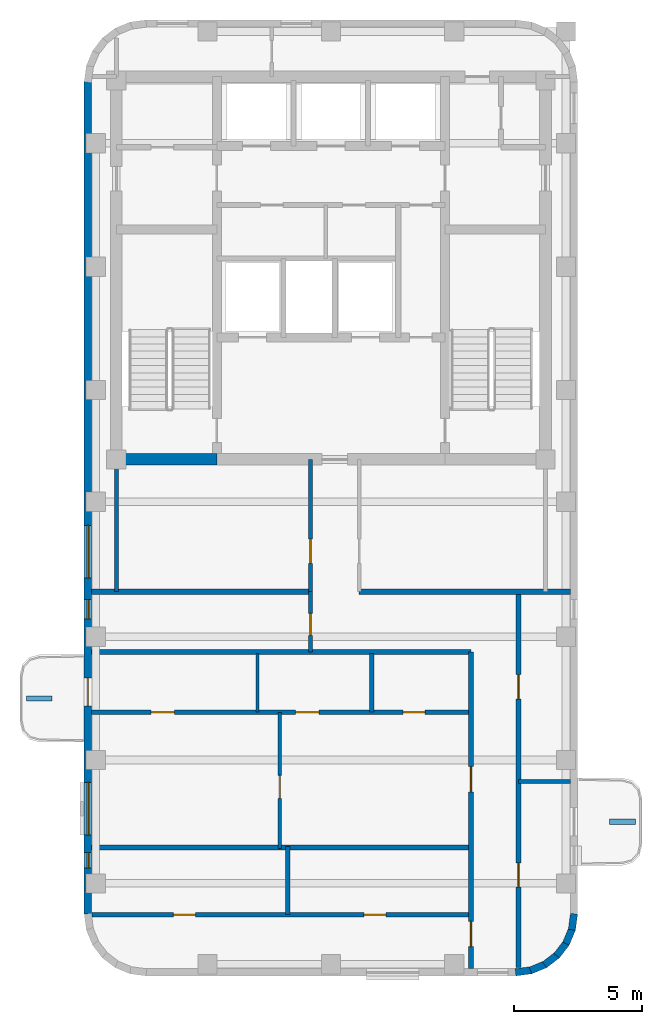
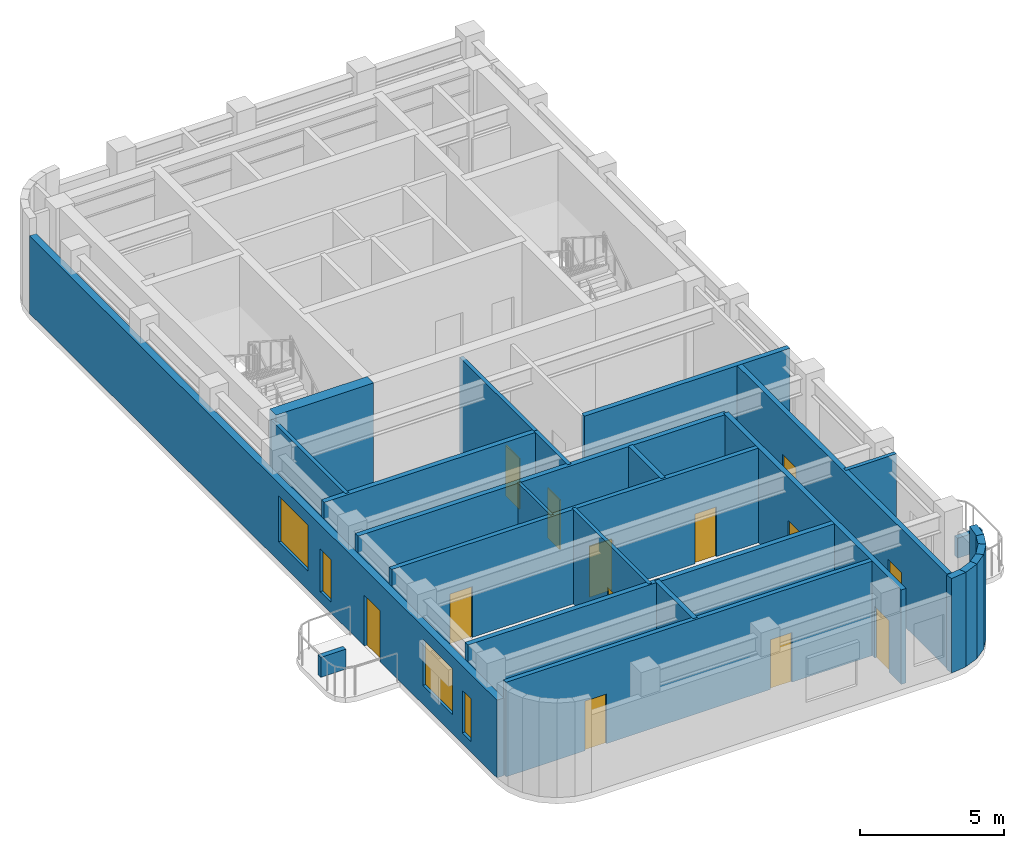
# One storey, part 2 of 5: 26 walls, 13 doors, 4 windows, 17 openings.
"""IFC4 building model written with IfcOpenShell, lengths in metres."""

from ifc_helpers import new_model, si_unit, direction, frame, frame_2d, origin, place, context, subcontext, project, spatial, rectangle, extrude, material, layer, layer_set, type_object, element, fill, save


model = new_model("IFC4")

# Units and contexts
model_context = context("Model", 3, precision=1e-05, world=origin(), true_north=direction((0.0, 1.0)))
body_context = subcontext(model_context, "Body", "Model", "MODEL_VIEW")
ifc_project = project(units=[si_unit("LENGTHUNIT", "METRE"), si_unit("AREAUNIT", "SQUARE_METRE"), si_unit("VOLUMEUNIT", "CUBIC_METRE"), si_unit("PLANEANGLEUNIT", "RADIAN"), si_unit("MASSUNIT", "GRAM", prefix="KILO")], contexts=[model_context])

# Site, building, storey
site_placement = place(None, origin())
site = spatial("IfcSite", under=ifc_project, at=site_placement, CompositionType="ELEMENT")
building_placement = place(site_placement, origin())
building = spatial("IfcBuilding", under=site, at=building_placement, Name="Orvandelia Arch Residences", CompositionType="ELEMENT")
storey_placement = place(building_placement, frame((0.0, 0.0, 287.10009765625)))
storey = spatial("IfcBuildingStorey", under=building, at=storey_placement, Name="L74", CompositionType="ELEMENT", Elevation=287.10009765625)

# Wall
ifc_material_1 = material(Name="Concrete C50/60", Category="concrete")
ifc_layer_1 = layer(ifc_material_1, 0.449951171875, Name="Concrete C50/60", Category="concrete")
ifc_layer_set_1 = layer_set([ifc_layer_1], Name="Concrete C50/60")
wall_type_1 = type_object("IfcWallType", Name="WL-CORE-450", PredefinedType="SHEAR", material=ifc_layer_set_1)
wall_1_placement = place(storey_placement, frame((6.050048828125, 30.89990234375, 0.0), z_axis=(0.0, 0.0, 1.0), x_axis=(1.0, 0.0, 0.0)))
element("IfcWall", 1, at=wall_1_placement, inside=storey, type_object=wall_type_1, Name="Core Shear Wall L74-SW", PredefinedType="SHEAR", context=body_context, shape_type="SweptSolid", body=[
    extrude(rectangle(XDim=3.909912109375, YDim=0.449951171875, at=frame_2d((1.955078125, 0.0))), origin(), (0.0, 0.0, 1.0), 4.2998046875),
])

# Wall, openings, doors
ifc_material_2 = material(Name="Fire-Rated Corridor Partition")
ifc_layer_2 = layer(ifc_material_2, 0.199951171875, Name="Fire-Rated Corridor Partition")
ifc_layer_set_2 = layer_set([ifc_layer_2], Name="Fire-Rated Corridor Partition")
wall_type_2 = type_object("IfcWallType", Name="WL-CORR-200", PredefinedType="PARTITIONING", material=ifc_layer_set_2)
wall_2_placement = place(storey_placement, frame((19.85009765625, 11.080078125, 0.0), z_axis=(0.0, 0.0, 1.0), x_axis=(0.0, 1.0, 0.0)))
wall_2 = element("IfcWall", 2, at=wall_2_placement, inside=storey, type_object=wall_type_2, Name="Interior Partition Wall WL-L74-WC-W", PredefinedType="PARTITIONING", context=body_context, shape_type="SweptSolid", body=[
    extrude(rectangle(XDim=12.31982421875, YDim=0.199951171875, at=frame_2d((6.159912109375, 0.0))), origin(), (0.0, 0.0, 1.0), 4.0),
])
opening_1_placement = place(wall_2_placement, frame((0.860107421875, 0.0, 0.0)))
opening_1 = element("IfcOpeningElement", 3, at=opening_1_placement, cuts=wall_2, Name="Opening D1", PredefinedType="OPENING", context=body_context, shape_type="SweptSolid", body=[
    extrude(rectangle(XDim=0.97998046875, YDim=2.179931640625, at=frame_2d((0.489990234375, 1.08984375))), frame((0.0, 0.10986328125, 0.0), z_axis=(0.0, -1.0, 0.0), x_axis=(1.0, 0.0, 0.0)), (0.0, 0.0, 1.0), 0.219970703125),
])
opening_2_placement = place(wall_2_placement, frame((6.8798828125, 0.0, 0.0)))
opening_2 = element("IfcOpeningElement", 4, at=opening_2_placement, cuts=wall_2, Name="Opening D1", PredefinedType="OPENING", context=body_context, shape_type="SweptSolid", body=[
    extrude(rectangle(XDim=0.97998046875, YDim=2.179931640625, at=frame_2d((0.489990234375, 1.08984375))), frame((0.0, 0.10986328125, 0.0), z_axis=(0.0, -1.0, 0.0), x_axis=(1.0, 0.0, 0.0)), (0.0, 0.0, 1.0), 0.219970703125),
])
ifc_material_3 = material(Name="Solid-Core Timber Acoustic Fire Door", Category="wood")
door_type_1 = type_object("IfcDoorType", Name="DR-ENT-980", OperationType="NOTDEFINED", PredefinedType="DOOR", material=ifc_material_3)
door_1_placement = place(opening_1_placement, origin())
door_1 = element("IfcDoor", 5, at=door_1_placement, inside=storey, type_object=door_type_1, Name="Unit L74-01 Entrance Door", OperationType="SINGLE_SWING_LEFT", OverallHeight=2.179931640625, OverallWidth=0.97998046875, PredefinedType="DOOR", context=body_context, shape_type="SweptSolid", body=[
    extrude(rectangle(XDim=0.97998046875, YDim=2.179931640625, at=frame_2d((0.489990234375, 1.08984375))), frame((0.0, 0.02490234375, 0.0), z_axis=(0.0, -1.0, 0.0), x_axis=(1.0, 0.0, 0.0)), (0.0, 0.0, 1.0), 0.050048828125),
])
fill(opening_1, door_1)
door_2_placement = place(opening_2_placement, origin())
door_2 = element("IfcDoor", 6, at=door_2_placement, inside=storey, type_object=door_type_1, Name="Unit L74-02 Entrance Door", OperationType="SINGLE_SWING_RIGHT", OverallHeight=2.179931640625, OverallWidth=0.97998046875, PredefinedType="DOOR", context=body_context, shape_type="SweptSolid", body=[
    extrude(rectangle(XDim=0.97998046875, YDim=2.179931640625, at=frame_2d((0.489990234375, 1.08984375))), frame((0.0, 0.02490234375, 0.0), z_axis=(0.0, -1.0, 0.0), x_axis=(1.0, 0.0, 0.0)), (0.0, 0.0, 1.0), 0.050048828125),
])
fill(opening_2, door_2)

wall_3_placement = place(storey_placement, frame((21.699951171875, 11.1201171875, 0.0), z_axis=(0.0, 0.0, 1.0), x_axis=(0.0, 1.0, 0.0)))
wall_3 = element("IfcWall", 7, at=wall_3_placement, inside=storey, type_object=wall_type_2, Name="Interior Partition Wall WL-L74-WC-E", PredefinedType="PARTITIONING", context=body_context, shape_type="SweptSolid", body=[
    extrude(rectangle(XDim=14.6298828125, YDim=0.199951171875, at=frame_2d((7.31494140625, 0.0))), origin(), (0.0, 0.0, 1.0), 4.0),
])
opening_3_placement = place(wall_3_placement, frame((3.1298828125, 0.0, 0.0)))
opening_3 = element("IfcOpeningElement", 8, at=opening_3_placement, cuts=wall_3, Name="Opening D2", PredefinedType="OPENING", context=body_context, shape_type="SweptSolid", body=[
    extrude(rectangle(XDim=0.949951171875, YDim=2.14990234375, at=frame_2d((0.47509765625, 1.074951171875))), frame((0.0, 0.10986328125, 0.0), z_axis=(0.0, -1.0, 0.0), x_axis=(1.0, 0.0, 0.0)), (0.0, 0.0, 1.0), 0.219970703125),
])
opening_4_placement = place(wall_3_placement, frame((10.449951171875, 0.0, 0.0)))
opening_4 = element("IfcOpeningElement", 9, at=opening_4_placement, cuts=wall_3, Name="Opening D2", PredefinedType="OPENING", context=body_context, shape_type="SweptSolid", body=[
    extrude(rectangle(XDim=0.949951171875, YDim=2.14990234375, at=frame_2d((0.47509765625, 1.074951171875))), frame((0.0, 0.10986328125, 0.0), z_axis=(0.0, -1.0, 0.0), x_axis=(1.0, 0.0, 0.0)), (0.0, 0.0, 1.0), 0.219970703125),
])
ifc_material_4 = material(Name="Solid-Core Timber Interior Fire Door", Category="wood")
door_type_2 = type_object("IfcDoorType", Name="DR-APT-950", OperationType="NOTDEFINED", PredefinedType="DOOR", material=ifc_material_4)
door_3_placement = place(opening_3_placement, origin())
door_3 = element("IfcDoor", 10, at=door_3_placement, inside=storey, type_object=door_type_2, Name="DR-L74-EGALV1", OperationType="SINGLE_SWING_LEFT", OverallHeight=2.14990234375, OverallWidth=0.949951171875, PredefinedType="DOOR", context=body_context, shape_type="SweptSolid", body=[
    extrude(rectangle(XDim=0.949951171875, YDim=2.14990234375, at=frame_2d((0.47509765625, 1.074951171875))), frame((0.0, 0.02490234375, 0.0), z_axis=(0.0, -1.0, 0.0), x_axis=(1.0, 0.0, 0.0)), (0.0, 0.0, 1.0), 0.050048828125),
])
fill(opening_3, door_3)
door_4_placement = place(opening_4_placement, origin())
door_4 = element("IfcDoor", 11, at=door_4_placement, inside=storey, type_object=door_type_2, Name="DR-L74-EGLDY1", OperationType="SINGLE_SWING_RIGHT", OverallHeight=2.14990234375, OverallWidth=0.949951171875, PredefinedType="DOOR", context=body_context, shape_type="SweptSolid", body=[
    extrude(rectangle(XDim=0.949951171875, YDim=2.14990234375, at=frame_2d((0.47509765625, 1.074951171875))), frame((0.0, 0.02490234375, 0.0), z_axis=(0.0, -1.0, 0.0), x_axis=(1.0, 0.0, 0.0)), (0.0, 0.0, 1.0), 0.050048828125),
])
fill(opening_4, door_4)

# Walls
wall_4_placement = place(storey_placement, frame((5.080078125, 23.39990234375, 0.0), z_axis=(0.0, 0.0, 1.0), x_axis=(1.0, 0.0, 0.0)))
element("IfcWall", 12, at=wall_4_placement, inside=storey, type_object=wall_type_2, Name="Interior Partition Wall WL-L74-WLNK-S", PredefinedType="PARTITIONING", context=body_context, shape_type="SweptSolid", body=[
    extrude(rectangle(XDim=14.77001953125, YDim=0.199951171875, at=frame_2d((7.385009765625, 0.0))), origin(), (0.0, 0.0, 1.0), 4.0),
])
wall_5_placement = place(storey_placement, frame((15.5, 25.75, 0.0), z_axis=(0.0, 0.0, 1.0), x_axis=(1.0, 0.0, 0.0)))
element("IfcWall", 13, at=wall_5_placement, inside=storey, type_object=wall_type_2, Name="Interior Partition Wall WL-L74-WLNK-NE", PredefinedType="PARTITIONING", context=body_context, shape_type="SweptSolid", body=[
    extrude(rectangle(XDim=8.219970703125, YDim=0.199951171875, at=frame_2d((4.10986328125, 0.0))), origin(), (0.0, 0.0, 1.0), 4.0),
])
wall_6_placement = place(storey_placement, frame((5.080078125, 25.75, 0.0), z_axis=(0.0, 0.0, 1.0), x_axis=(1.0, 0.0, 0.0)))
element("IfcWall", 14, at=wall_6_placement, inside=storey, type_object=wall_type_2, Name="Interior Partition Wall WL-L74-WLNK-NW2", PredefinedType="PARTITIONING", context=body_context, shape_type="SweptSolid", body=[
    extrude(rectangle(XDim=8.52001953125, YDim=0.199951171875, at=frame_2d((4.260009765625, 0.0))), origin(), (0.0, 0.0, 1.0), 4.0),
])
ifc_material_5 = material(Name="Concrete C40/50", Category="concrete")
ifc_layer_3 = layer(ifc_material_5, 0.199951171875, Name="Concrete C40/50", Category="concrete")
ifc_layer_set_3 = layer_set([ifc_layer_3], Name="Concrete C40/50")
wall_type_3 = type_object("IfcWallType", Name="WL-DEM-200", PredefinedType="SOLIDWALL", material=ifc_layer_set_3)
wall_7_placement = place(storey_placement, frame((5.080078125, 15.800048828125, 0.0), z_axis=(0.0, 0.0, 1.0), x_axis=(1.0, 0.0, 0.0)))
element("IfcWall", 15, at=wall_7_placement, inside=storey, type_object=wall_type_3, Name="Interior Partition Wall WL-L74-DEM-WL-158", PredefinedType="SOLIDWALL", context=body_context, shape_type="SweptSolid", body=[
    extrude(rectangle(XDim=14.77001953125, YDim=0.199951171875, at=frame_2d((7.385009765625, 0.0))), origin(), (0.0, 0.0, 1.0), 4.0),
])
ifc_material_6 = material(Name="Precast concrete C40/50", Category="concrete")
ifc_layer_4 = layer(ifc_material_6, 0.280029296875, Name="Precast concrete C40/50", Category="concrete")
ifc_layer_set_4 = layer_set([ifc_layer_4], Name="Precast concrete C40/50")
wall_type_4 = type_object("IfcWallType", Name="WL-EXT-STONE-280", PredefinedType="STANDARD", material=ifc_layer_set_4)
wall_8_placement = place(storey_placement, frame((23.861083984375, 13.21826171875, 0.0), z_axis=(0.0, 0.0, 1.0), x_axis=(-0.130555323746, -0.9914410257, 0.0)))
element("IfcWall", 16, at=wall_8_placement, inside=storey, type_object=wall_type_4, Name="Coral-Limestone Precast Facade Wall L74-015", PredefinedType="STANDARD", context=body_context, shape_type="SweptSolid", body=[
    extrude(rectangle(XDim=0.62646484375, YDim=0.280029296875, at=frame_2d((0.313232421875, 0.0))), origin(), (0.0, 0.0, 1.0), 4.0),
])
wall_9_placement = place(storey_placement, frame((23.788818359375, 12.63232421875, 0.0), z_axis=(0.0, 0.0, 1.0), x_axis=(-0.382455093999, -0.923974080304, 0.0)))
element("IfcWall", 17, at=wall_9_placement, inside=storey, type_object=wall_type_4, Name="Coral-Limestone Precast Facade Wall L74-016", PredefinedType="STANDARD", context=body_context, shape_type="SweptSolid", body=[
    extrude(rectangle(XDim=0.626220703125, YDim=0.280029296875, at=frame_2d((0.31298828125, 0.0))), origin(), (0.0, 0.0, 1.0), 4.0),
])
for number, where, z_axis, x_axis, name in (
    (18, (23.5673828125, 12.085205078125, 0.0), (0.0, 0.0, 1.0), (-0.608693302629, -0.793405610854, 0.0), "Coral-Limestone Precast Facade Wall L74-017"),
    (19, (23.2119140625, 11.614013671875, 0.0), (0.0, 0.0, 1.0), (-0.793405610854, -0.608693302629, 0.0), "Coral-Limestone Precast Facade Wall L74-018"),
    (20, (22.746337890625, 11.250732421875, 0.0), (0.0, 0.0, 1.0), (-0.92389335771, -0.382650053678, 0.0), "Coral-Limestone Precast Facade Wall L74-019"),
    (21, (22.202880859375, 11.0205078125, 0.0), (0.0, 0.0, 1.0), (-0.9914410257, -0.130555323746, 0.0), "Coral-Limestone Precast Facade Wall L74-020"),
):
    element("IfcWall", number, at=place(storey_placement, frame(where, z_axis=z_axis, x_axis=x_axis)), inside=storey, type_object=wall_type_4, Name=name, PredefinedType="STANDARD", context=body_context, shape_type="SweptSolid", body=[
        extrude(rectangle(XDim=0.62646484375, YDim=0.280029296875, at=frame_2d((0.313232421875, 0.0))), origin(), (0.0, 0.0, 1.0), 4.0),
    ])

# Wall, openings, door, windows
wall_10_placement = place(storey_placement, frame((4.93994140625, 13.199951171875, 0.0), z_axis=(0.0, 0.0, 1.0), x_axis=(0.0, 1.0, 0.0)))
wall_10 = element("IfcWall", 22, at=wall_10_placement, inside=storey, type_object=wall_type_4, Name="Coral-Limestone Precast Facade Wall L74-028", PredefinedType="STANDARD", context=body_context, shape_type="SweptSolid", body=[
    extrude(rectangle(XDim=32.400146484375, YDim=0.280029296875, at=frame_2d((16.2001953125, 0.0))), origin(), (0.0, 0.0, 1.0), 3.27978515625),
])
opening_5_placement = place(wall_10_placement, frame((8.10009765625, 0.0, 0.0)))
opening_5 = element("IfcOpeningElement", 23, at=opening_5_placement, cuts=wall_10, Name="Opening BD1", PredefinedType="OPENING", context=body_context, shape_type="SweptSolid", body=[
    extrude(rectangle(XDim=1.10009765625, YDim=2.14990234375, at=frame_2d((0.550048828125, 1.074951171875))), frame((0.0, 0.14990234375, 0.0), z_axis=(0.0, -1.0, 0.0), x_axis=(1.0, 0.0, 0.0)), (0.0, 0.0, 1.0), 0.300048828125),
])
opening_6_placement = place(wall_10_placement, frame((1.797607421875, 0.0, 0.449951171875)))
opening_6 = element("IfcOpeningElement", 24, at=opening_6_placement, cuts=wall_10, Name="Opening W12", PredefinedType="OPENING", context=body_context, shape_type="SweptSolid", body=[
    extrude(rectangle(XDim=0.60009765625, YDim=1.800048828125, at=frame_2d((0.300048828125, 0.89990234375))), frame((0.0, 0.14990234375, 0.0), z_axis=(0.0, -1.0, 0.0), x_axis=(1.0, 0.0, 0.0)), (0.0, 0.0, 1.0), 0.300048828125),
])
opening_7_placement = place(wall_10_placement, frame((3.077392578125, 0.0, 0.800048828125)))
opening_7 = element("IfcOpeningElement", 25, at=opening_7_placement, cuts=wall_10, Name="Opening W8", PredefinedType="OPENING", context=body_context, shape_type="SweptSolid", body=[
    extrude(rectangle(XDim=2.050048828125, YDim=1.949951171875, at=frame_2d((1.02490234375, 0.97509765625))), frame((0.0, 0.14990234375, 0.0), z_axis=(0.0, -1.0, 0.0), x_axis=(1.0, 0.0, 0.0)), (0.0, 0.0, 1.0), 0.300048828125),
])
opening_8_placement = place(wall_10_placement, frame((13.08251953125, 0.0, 0.800048828125)))
opening_8 = element("IfcOpeningElement", 26, at=opening_8_placement, cuts=wall_10, Name="Opening W8", PredefinedType="OPENING", context=body_context, shape_type="SweptSolid", body=[
    extrude(rectangle(XDim=2.050048828125, YDim=1.949951171875, at=frame_2d((1.02490234375, 0.97509765625))), frame((0.0, 0.14990234375, 0.0), z_axis=(0.0, -1.0, 0.0), x_axis=(1.0, 0.0, 0.0)), (0.0, 0.0, 1.0), 0.300048828125),
])
opening_9_placement = place(wall_10_placement, frame((11.492431640625, 0.0, 0.449951171875)))
opening_9 = element("IfcOpeningElement", 27, at=opening_9_placement, cuts=wall_10, Name="Opening W11", PredefinedType="OPENING", context=body_context, shape_type="SweptSolid", body=[
    extrude(rectangle(XDim=0.75, YDim=1.800048828125, at=frame_2d((0.375, 0.89990234375))), frame((0.0, 0.14990234375, 0.0), z_axis=(0.0, -1.0, 0.0), x_axis=(1.0, 0.0, 0.0)), (0.0, 0.0, 1.0), 0.300048828125),
])
ifc_material_7 = material(Name="Thermally Broken Aluminium Glazed Door", Category="aluminium")
door_type_3 = type_object("IfcDoorType", Name="DR-BAL-GLAZ-1100", OperationType="NOTDEFINED", PredefinedType="DOOR", material=ifc_material_7)
door_5_placement = place(opening_5_placement, origin())
door_5 = element("IfcDoor", 28, at=door_5_placement, inside=storey, type_object=door_type_3, Name="Tree Balcony Glazed Door BAL-L74-W1", OperationType="SINGLE_SWING_RIGHT", OverallHeight=2.14990234375, OverallWidth=1.10009765625, PredefinedType="DOOR", context=body_context, shape_type="SweptSolid", body=[
    extrude(rectangle(XDim=1.10009765625, YDim=2.14990234375, at=frame_2d((0.550048828125, 1.074951171875))), frame((0.0, 0.02490234375, 0.0), z_axis=(0.0, -1.0, 0.0), x_axis=(1.0, 0.0, 0.0)), (0.0, 0.0, 1.0), 0.050048828125),
])
fill(opening_5, door_5)
ifc_material_8 = material(Name="Tempered Low-E Insulated Glazing", Category="glass")
window_type_1 = type_object("IfcWindowType", Name="WIN-BED-0750x1800", PartitioningType="SINGLE_PANEL", PredefinedType="WINDOW", material=ifc_material_8)
window_1_placement = place(opening_9_placement, origin())
window_1 = element("IfcWindow", 29, at=window_1_placement, inside=storey, type_object=window_type_1, Name="Recessed Punched Window L74-011", OverallHeight=1.800048828125, OverallWidth=0.75, PartitioningType="SINGLE_PANEL", PredefinedType="WINDOW", context=body_context, shape_type="SweptSolid", body=[
    extrude(rectangle(XDim=0.75, YDim=1.800048828125, at=frame_2d((0.375, 0.89990234375))), frame((0.0, 0.030029296875, 0.0), z_axis=(0.0, -1.0, 0.0), x_axis=(1.0, 0.0, 0.0)), (0.0, 0.0, 1.0), 0.06005859375),
])
fill(opening_9, window_1)
window_type_2 = type_object("IfcWindowType", Name="WIN-LAN-0600x1800", PartitioningType="SINGLE_PANEL", PredefinedType="WINDOW", material=ifc_material_8)
window_2_placement = place(opening_6_placement, origin())
window_2 = element("IfcWindow", 30, at=window_2_placement, inside=storey, type_object=window_type_2, Name="Recessed Punched Window L74-008", OverallHeight=1.800048828125, OverallWidth=0.60009765625, PartitioningType="SINGLE_PANEL", PredefinedType="WINDOW", context=body_context, shape_type="SweptSolid", body=[
    extrude(rectangle(XDim=0.60009765625, YDim=1.800048828125, at=frame_2d((0.300048828125, 0.89990234375))), frame((0.0, 0.030029296875, 0.0), z_axis=(0.0, -1.0, 0.0), x_axis=(1.0, 0.0, 0.0)), (0.0, 0.0, 1.0), 0.06005859375),
])
fill(opening_6, window_2)
window_type_3 = type_object("IfcWindowType", Name="WIN-UPP-2050x1950", PartitioningType="SINGLE_PANEL", PredefinedType="WINDOW", material=ifc_material_8)
window_3_placement = place(opening_7_placement, origin())
window_3 = element("IfcWindow", 31, at=window_3_placement, inside=storey, type_object=window_type_3, Name="Recessed Punched Window L74-009", OverallHeight=1.949951171875, OverallWidth=2.050048828125, PartitioningType="SINGLE_PANEL", PredefinedType="WINDOW", context=body_context, shape_type="SweptSolid", body=[
    extrude(rectangle(XDim=2.050048828125, YDim=1.949951171875, at=frame_2d((1.02490234375, 0.97509765625))), frame((0.0, 0.030029296875, 0.0), z_axis=(0.0, -1.0, 0.0), x_axis=(1.0, 0.0, 0.0)), (0.0, 0.0, 1.0), 0.06005859375),
])
fill(opening_7, window_3)
window_4_placement = place(opening_8_placement, origin())
window_4 = element("IfcWindow", 32, at=window_4_placement, inside=storey, type_object=window_type_3, Name="Recessed Punched Window L74-010", OverallHeight=1.949951171875, OverallWidth=2.050048828125, PartitioningType="SINGLE_PANEL", PredefinedType="WINDOW", context=body_context, shape_type="SweptSolid", body=[
    extrude(rectangle(XDim=2.050048828125, YDim=1.949951171875, at=frame_2d((1.02490234375, 0.97509765625))), frame((0.0, 0.030029296875, 0.0), z_axis=(0.0, -1.0, 0.0), x_axis=(1.0, 0.0, 0.0)), (0.0, 0.0, 1.0), 0.06005859375),
])
fill(opening_8, window_4)

# Wall
ifc_material_9 = material(Name="Lightweight Gypsum Stud Partition")
ifc_layer_5 = layer(ifc_material_9, 0.1201171875, Name="Lightweight Gypsum Stud Partition")
ifc_layer_set_5 = layer_set([ifc_layer_5], Name="Lightweight Gypsum Stud Partition")
wall_type_5 = type_object("IfcWallType", Name="WL-PART-120", PredefinedType="PARTITIONING", material=ifc_layer_set_5)
wall_11_placement = place(storey_placement, frame((11.541015625, 21.06005859375, 0.0), z_axis=(0.0, 0.0, 1.0), x_axis=(0.0, 1.0, 0.0)))
element("IfcWall", 33, at=wall_11_placement, inside=storey, type_object=wall_type_5, Name="Interior Partition Wall WL-L74-U02-V1", PredefinedType="PARTITIONING", context=body_context, shape_type="SweptSolid", body=[
    extrude(rectangle(XDim=2.280029296875, YDim=0.1201171875, at=frame_2d((1.14013671875, 0.0))), origin(), (0.0, 0.0, 1.0), 4.0),
])

# Wall, opening, door
ifc_material_10 = material(Name="Double-Layer Acoustic Gypsum Partition")
ifc_layer_6 = layer(ifc_material_10, 0.135009765625, Name="Double-Layer Acoustic Gypsum Partition")
ifc_layer_set_6 = layer_set([ifc_layer_6], Name="Double-Layer Acoustic Gypsum Partition")
wall_type_6 = type_object("IfcWallType", Name="WL-PART-135", PredefinedType="PARTITIONING", material=ifc_layer_set_6)
wall_12_placement = place(storey_placement, frame((12.408935546875, 15.760009765625, 0.0), z_axis=(0.0, 0.0, 1.0), x_axis=(0.0, 1.0, 0.0)))
wall_12 = element("IfcWall", 34, at=wall_12_placement, inside=storey, type_object=wall_type_6, Name="Interior Partition Wall WL-L74-U02-DIN", PredefinedType="PARTITIONING", context=body_context, shape_type="SweptSolid", body=[
    extrude(rectangle(XDim=5.300048828125, YDim=0.135009765625, at=frame_2d((2.64990234375, 0.0))), origin(), (0.0, 0.0, 1.0), 4.0),
])
opening_10_placement = place(wall_12_placement, frame((1.944091796875, 0.0, 0.0)))
opening_10 = element("IfcOpeningElement", 35, at=opening_10_placement, cuts=wall_12, Name="Opening D3", PredefinedType="OPENING", context=body_context, shape_type="SweptSolid", body=[
    extrude(rectangle(XDim=0.89990234375, YDim=2.14990234375, at=frame_2d((0.449951171875, 1.074951171875))), frame((0.0, 0.07763671875, 0.0), z_axis=(0.0, -1.0, 0.0), x_axis=(1.0, 0.0, 0.0)), (0.0, 0.0, 1.0), 0.155029296875),
])
ifc_material_11 = material(Name="Engineered Timber Flush Door", Category="wood")
door_type_4 = type_object("IfcDoorType", Name="DR-INT-900", OperationType="NOTDEFINED", PredefinedType="DOOR", material=ifc_material_11)
door_6_placement = place(opening_10_placement, origin())
door_6 = element("IfcDoor", 36, at=door_6_placement, inside=storey, type_object=door_type_4, Name="DR-L74-U02-DIN", OperationType="SINGLE_SWING_LEFT", OverallHeight=2.14990234375, OverallWidth=0.89990234375, PredefinedType="DOOR", context=body_context, shape_type="SweptSolid", body=[
    extrude(rectangle(XDim=0.89990234375, YDim=2.14990234375, at=frame_2d((0.449951171875, 1.074951171875))), frame((0.0, 0.02490234375, 0.0), z_axis=(0.0, -1.0, 0.0), x_axis=(1.0, 0.0, 0.0)), (0.0, 0.0, 1.0), 0.050048828125),
])
fill(opening_10, door_6)

ifc_material_12 = material(Name="Acoustic Gypsum Stud Partition")
ifc_layer_7 = layer(ifc_material_12, 0.14990234375, Name="Acoustic Gypsum Stud Partition")
ifc_layer_set_7 = layer_set([ifc_layer_7], Name="Acoustic Gypsum Stud Partition")
wall_type_7 = type_object("IfcWallType", Name="WL-PART-150", PredefinedType="PARTITIONING", material=ifc_layer_set_7)
wall_13_placement = place(storey_placement, frame((13.60009765625, 25.75, 0.0), z_axis=(0.0, 0.0, 1.0), x_axis=(0.0, 1.0, 0.0)))
wall_13 = element("IfcWall", 37, at=wall_13_placement, inside=storey, type_object=wall_type_7, Name="Interior Partition Wall WL-L74-HI-W1", PredefinedType="PARTITIONING", context=body_context, shape_type="SweptSolid", body=[
    extrude(rectangle(XDim=5.14990234375, YDim=0.14990234375, at=frame_2d((2.574951171875, 0.0))), origin(), (0.0, 0.0, 1.0), 4.0),
])
opening_11_placement = place(wall_13_placement, frame((1.10009765625, 0.0, 0.0)))
opening_11 = element("IfcOpeningElement", 38, at=opening_11_placement, cuts=wall_13, Name="Opening D2", PredefinedType="OPENING", context=body_context, shape_type="SweptSolid", body=[
    extrude(rectangle(XDim=0.949951171875, YDim=2.14990234375, at=frame_2d((0.47509765625, 1.074951171875))), frame((0.0, 0.0849609375, 0.0), z_axis=(0.0, -1.0, 0.0), x_axis=(1.0, 0.0, 0.0)), (0.0, 0.0, 1.0), 0.169921875),
])
door_7_placement = place(opening_11_placement, origin())
door_7 = element("IfcDoor", 39, at=door_7_placement, inside=storey, type_object=door_type_2, Name="DR-L74-HIR1", OperationType="SINGLE_SWING_LEFT", OverallHeight=2.14990234375, OverallWidth=0.949951171875, PredefinedType="DOOR", context=body_context, shape_type="SweptSolid", body=[
    extrude(rectangle(XDim=0.949951171875, YDim=2.14990234375, at=frame_2d((0.47509765625, 1.074951171875))), frame((0.0, 0.02490234375, 0.0), z_axis=(0.0, -1.0, 0.0), x_axis=(1.0, 0.0, 0.0)), (0.0, 0.0, 1.0), 0.050048828125),
])
fill(opening_11, door_7)

# Wall
wall_14_placement = place(storey_placement, frame((6.050048828125, 25.75, 0.0), z_axis=(0.0, 0.0, 1.0), x_axis=(0.0, 1.0, 0.0)))
element("IfcWall", 40, at=wall_14_placement, inside=storey, type_object=wall_type_7, Name="Interior Partition Wall WL-L74-HI-WW", PredefinedType="PARTITIONING", context=body_context, shape_type="SweptSolid", body=[
    extrude(rectangle(XDim=5.14990234375, YDim=0.14990234375, at=frame_2d((2.574951171875, 0.0))), origin(), (0.0, 0.0, 1.0), 4.0),
])

# Wall, opening, door
wall_15_placement = place(storey_placement, frame((13.60009765625, 23.39990234375, 0.0), z_axis=(0.0, 0.0, 1.0), x_axis=(0.0, 1.0, 0.0)))
wall_15 = element("IfcWall", 41, at=wall_15_placement, inside=storey, type_object=wall_type_7, Name="Interior Partition Wall WL-L74-WLNK-W", PredefinedType="PARTITIONING", context=body_context, shape_type="SweptSolid", body=[
    extrude(rectangle(XDim=2.35009765625, YDim=0.14990234375, at=frame_2d((1.175048828125, 0.0))), origin(), (0.0, 0.0, 1.0), 4.0),
])
opening_12_placement = place(wall_15_placement, frame((0.64990234375, 0.0, 0.0)))
opening_12 = element("IfcOpeningElement", 42, at=opening_12_placement, cuts=wall_15, Name="Opening D4", PredefinedType="OPENING", context=body_context, shape_type="SweptSolid", body=[
    extrude(rectangle(XDim=0.860107421875, YDim=2.10009765625, at=frame_2d((0.43017578125, 1.050048828125))), frame((0.0, 0.0849609375, 0.0), z_axis=(0.0, -1.0, 0.0), x_axis=(1.0, 0.0, 0.0)), (0.0, 0.0, 1.0), 0.169921875),
])
ifc_material_13 = material(Name="Moisture-Sealed Timber Bathroom Door", Category="wood")
door_type_5 = type_object("IfcDoorType", Name="DR-WET-900", OperationType="NOTDEFINED", PredefinedType="DOOR", material=ifc_material_13)
door_8_placement = place(opening_12_placement, origin())
door_8 = element("IfcDoor", 43, at=door_8_placement, inside=storey, type_object=door_type_5, Name="DR-L74-WLNKST", OperationType="SINGLE_SWING_LEFT", OverallHeight=2.10009765625, OverallWidth=0.860107421875, PredefinedType="DOOR", context=body_context, shape_type="SweptSolid", body=[
    extrude(rectangle(XDim=0.860107421875, YDim=2.10009765625, at=frame_2d((0.43017578125, 1.050048828125))), frame((0.0, 0.02490234375, 0.0), z_axis=(0.0, -1.0, 0.0), x_axis=(1.0, 0.0, 0.0)), (0.0, 0.0, 1.0), 0.050048828125),
])
fill(opening_12, door_8)

# Walls
wall_16_placement = place(storey_placement, frame((21.699951171875, 18.360107421875, 0.0), z_axis=(0.0, 0.0, 1.0), x_axis=(1.0, 0.0, 0.0)))
element("IfcWall", 44, at=wall_16_placement, inside=storey, type_object=wall_type_7, Name="Interior Partition Wall WL-L74-EGDIV-1", PredefinedType="PARTITIONING", context=body_context, shape_type="SweptSolid", body=[
    extrude(rectangle(XDim=2.02001953125, YDim=0.14990234375, at=frame_2d((1.010009765625, 0.0))), origin(), (0.0, 0.0, 1.0), 4.0),
])
ifc_layer_8 = layer(ifc_material_6, 0.199951171875, Name="Precast concrete C40/50", Category="concrete")
ifc_layer_set_8 = layer_set([ifc_layer_8], Name="Precast concrete C40/50")
wall_type_8 = type_object("IfcWallType", Name="WL-PLANTER-200", PredefinedType="MOVABLE", material=ifc_layer_set_8)
for number, where, z_axis, x_axis, name in (
    (45, (2.550048828125, 21.60009765625, 0.0), (0.0, 0.0, 1.0), (1.0, 0.0, 0.0), "Balcony Precast Tree Planter BAL-L74-W1"),
    (46, (25.25, 16.800048828125, 0.0), (0.0, 0.0, 1.0), (1.0, 0.0, 0.0), "Balcony Precast Tree Planter BAL-L74-W2"),
):
    element("IfcWall", number, at=place(storey_placement, frame(where, z_axis=z_axis, x_axis=x_axis)), inside=storey, type_object=wall_type_8, Name=name, PredefinedType="MOVABLE", context=body_context, shape_type="SweptSolid", body=[
        extrude(rectangle(XDim=1.0, YDim=0.199951171875, at=frame_2d((0.5, 0.0))), origin(), (0.0, 0.0, 1.0), 0.849853515625),
    ])

# Wall, openings, doors
ifc_material_14 = material(Name="Moisture-Resistant Plumbing Wall")
ifc_layer_9 = layer(ifc_material_14, 0.179931640625, Name="Moisture-Resistant Plumbing Wall")
ifc_layer_set_9 = layer_set([ifc_layer_9], Name="Moisture-Resistant Plumbing Wall")
wall_type_9 = type_object("IfcWallType", Name="WL-WET-180", PredefinedType="PLUMBINGWALL", material=ifc_layer_set_9)
wall_17_placement = place(storey_placement, frame((5.10009765625, 13.179931640625, 0.0), z_axis=(0.0, 0.0, 1.0), x_axis=(1.0, 0.0, 0.0)))
wall_17 = element("IfcWall", 47, at=wall_17_placement, inside=storey, type_object=wall_type_9, Name="Interior Partition Wall WL-L74-U01-HZ", PredefinedType="PLUMBINGWALL", context=body_context, shape_type="SweptSolid", body=[
    extrude(rectangle(XDim=14.68994140625, YDim=0.179931640625, at=frame_2d((7.344970703125, 0.0))), origin(), (0.0, 0.0, 1.0), 4.0),
])
opening_13_placement = place(wall_17_placement, frame((3.1650390625, 0.0, 0.0)))
opening_13 = element("IfcOpeningElement", 48, at=opening_13_placement, cuts=wall_17, Name="Opening D4", PredefinedType="OPENING", context=body_context, shape_type="SweptSolid", body=[
    extrude(rectangle(XDim=0.860107421875, YDim=2.10009765625, at=frame_2d((0.43017578125, 1.050048828125))), frame((0.0, 0.10009765625, 0.0), z_axis=(0.0, -1.0, 0.0), x_axis=(1.0, 0.0, 0.0)), (0.0, 0.0, 1.0), 0.199951171875),
])
opening_14_placement = place(wall_17_placement, frame((10.580078125, 0.0, 0.0)))
opening_14 = element("IfcOpeningElement", 49, at=opening_14_placement, cuts=wall_17, Name="Opening D4", PredefinedType="OPENING", context=body_context, shape_type="SweptSolid", body=[
    extrude(rectangle(XDim=0.860107421875, YDim=2.10009765625, at=frame_2d((0.43017578125, 1.050048828125))), frame((0.0, 0.10009765625, 0.0), z_axis=(0.0, -1.0, 0.0), x_axis=(1.0, 0.0, 0.0)), (0.0, 0.0, 1.0), 0.199951171875),
])
door_9_placement = place(opening_13_placement, origin())
door_9 = element("IfcDoor", 50, at=door_9_placement, inside=storey, type_object=door_type_5, Name="DR-L74-U01-KIT", OperationType="SINGLE_SWING_LEFT", OverallHeight=2.10009765625, OverallWidth=0.860107421875, PredefinedType="DOOR", context=body_context, shape_type="SweptSolid", body=[
    extrude(rectangle(XDim=0.860107421875, YDim=2.10009765625, at=frame_2d((0.43017578125, 1.050048828125))), frame((0.0, 0.02490234375, 0.0), z_axis=(0.0, -1.0, 0.0), x_axis=(1.0, 0.0, 0.0)), (0.0, 0.0, 1.0), 0.050048828125),
])
fill(opening_13, door_9)
door_10_placement = place(opening_14_placement, origin())
door_10 = element("IfcDoor", 51, at=door_10_placement, inside=storey, type_object=door_type_5, Name="DR-L74-U01-BTH", OperationType="SINGLE_SWING_RIGHT", OverallHeight=2.10009765625, OverallWidth=0.860107421875, PredefinedType="DOOR", context=body_context, shape_type="SweptSolid", body=[
    extrude(rectangle(XDim=0.860107421875, YDim=2.10009765625, at=frame_2d((0.43017578125, 1.050048828125))), frame((0.0, 0.02490234375, 0.0), z_axis=(0.0, -1.0, 0.0), x_axis=(1.0, 0.0, 0.0)), (0.0, 0.0, 1.0), 0.050048828125),
])
fill(opening_14, door_10)

# Wall
wall_18_placement = place(storey_placement, frame((12.719970703125, 13.179931640625, 0.0), z_axis=(0.0, 0.0, 1.0), x_axis=(0.0, 1.0, 0.0)))
element("IfcWall", 52, at=wall_18_placement, inside=storey, type_object=wall_type_9, Name="Interior Partition Wall WL-L74-U01-V1", PredefinedType="PLUMBINGWALL", context=body_context, shape_type="SweptSolid", body=[
    extrude(rectangle(XDim=2.66015625, YDim=0.179931640625, at=frame_2d((1.330078125, 0.0))), origin(), (0.0, 0.0, 1.0), 4.0),
])

# Wall, openings, doors
wall_19_placement = place(storey_placement, frame((5.080078125, 21.06005859375, 0.0), z_axis=(0.0, 0.0, 1.0), x_axis=(1.0, 0.0, 0.0)))
wall_19 = element("IfcWall", 53, at=wall_19_placement, inside=storey, type_object=wall_type_9, Name="Interior Partition Wall WL-L74-U02-HZ", PredefinedType="PLUMBINGWALL", context=body_context, shape_type="SweptSolid", body=[
    extrude(rectangle(XDim=14.7099609375, YDim=0.179931640625, at=frame_2d((7.35498046875, 0.0))), origin(), (0.0, 0.0, 1.0), 4.0),
])
opening_15_placement = place(wall_19_placement, frame((2.323974609375, 0.0, 0.0)))
opening_15 = element("IfcOpeningElement", 54, at=opening_15_placement, cuts=wall_19, Name="Opening D3", PredefinedType="OPENING", context=body_context, shape_type="SweptSolid", body=[
    extrude(rectangle(XDim=0.89990234375, YDim=2.14990234375, at=frame_2d((0.449951171875, 1.074951171875))), frame((0.0, 0.10009765625, 0.0), z_axis=(0.0, -1.0, 0.0), x_axis=(1.0, 0.0, 0.0)), (0.0, 0.0, 1.0), 0.199951171875),
])
opening_16_placement = place(wall_19_placement, frame((7.94775390625, 0.0, 0.0)))
opening_16 = element("IfcOpeningElement", 55, at=opening_16_placement, cuts=wall_19, Name="Opening D3", PredefinedType="OPENING", context=body_context, shape_type="SweptSolid", body=[
    extrude(rectangle(XDim=0.89990234375, YDim=2.14990234375, at=frame_2d((0.449951171875, 1.074951171875))), frame((0.0, 0.10009765625, 0.0), z_axis=(0.0, -1.0, 0.0), x_axis=(1.0, 0.0, 0.0)), (0.0, 0.0, 1.0), 0.199951171875),
])
opening_17_placement = place(wall_19_placement, frame((12.127685546875, 0.0, 0.0)))
opening_17 = element("IfcOpeningElement", 56, at=opening_17_placement, cuts=wall_19, Name="Opening D4", PredefinedType="OPENING", context=body_context, shape_type="SweptSolid", body=[
    extrude(rectangle(XDim=0.860107421875, YDim=2.10009765625, at=frame_2d((0.43017578125, 1.050048828125))), frame((0.0, 0.10009765625, 0.0), z_axis=(0.0, -1.0, 0.0), x_axis=(1.0, 0.0, 0.0)), (0.0, 0.0, 1.0), 0.199951171875),
])
door_11_placement = place(opening_15_placement, origin())
door_11 = element("IfcDoor", 57, at=door_11_placement, inside=storey, type_object=door_type_4, Name="DR-L74-U02-BD1", OperationType="SINGLE_SWING_RIGHT", OverallHeight=2.14990234375, OverallWidth=0.89990234375, PredefinedType="DOOR", context=body_context, shape_type="SweptSolid", body=[
    extrude(rectangle(XDim=0.89990234375, YDim=2.14990234375, at=frame_2d((0.449951171875, 1.074951171875))), frame((0.0, 0.02490234375, 0.0), z_axis=(0.0, -1.0, 0.0), x_axis=(1.0, 0.0, 0.0)), (0.0, 0.0, 1.0), 0.050048828125),
])
fill(opening_15, door_11)
door_12_placement = place(opening_16_placement, origin())
door_12 = element("IfcDoor", 58, at=door_12_placement, inside=storey, type_object=door_type_4, Name="DR-L74-U02-KIT", OperationType="SINGLE_SWING_LEFT", OverallHeight=2.14990234375, OverallWidth=0.89990234375, PredefinedType="DOOR", context=body_context, shape_type="SweptSolid", body=[
    extrude(rectangle(XDim=0.89990234375, YDim=2.14990234375, at=frame_2d((0.449951171875, 1.074951171875))), frame((0.0, 0.02490234375, 0.0), z_axis=(0.0, -1.0, 0.0), x_axis=(1.0, 0.0, 0.0)), (0.0, 0.0, 1.0), 0.050048828125),
])
fill(opening_16, door_12)
door_13_placement = place(opening_17_placement, origin())
door_13 = element("IfcDoor", 59, at=door_13_placement, inside=storey, type_object=door_type_5, Name="DR-L74-U02-BTH", OperationType="SINGLE_SWING_RIGHT", OverallHeight=2.10009765625, OverallWidth=0.860107421875, PredefinedType="DOOR", context=body_context, shape_type="SweptSolid", body=[
    extrude(rectangle(XDim=0.860107421875, YDim=2.10009765625, at=frame_2d((0.43017578125, 1.050048828125))), frame((0.0, 0.02490234375, 0.0), z_axis=(0.0, -1.0, 0.0), x_axis=(1.0, 0.0, 0.0)), (0.0, 0.0, 1.0), 0.050048828125),
])
fill(opening_17, door_13)

# Wall
wall_20_placement = place(storey_placement, frame((15.9951171875, 21.06005859375, 0.0), z_axis=(0.0, 0.0, 1.0), x_axis=(0.0, 1.0, 0.0)))
element("IfcWall", 60, at=wall_20_placement, inside=storey, type_object=wall_type_9, Name="Interior Partition Wall WL-L74-U02-V2", PredefinedType="PLUMBINGWALL", context=body_context, shape_type="SweptSolid", body=[
    extrude(rectangle(XDim=2.280029296875, YDim=0.179931640625, at=frame_2d((1.14013671875, 0.0))), origin(), (0.0, 0.0, 1.0), 4.0),
])

save(model, "model.ifc")
